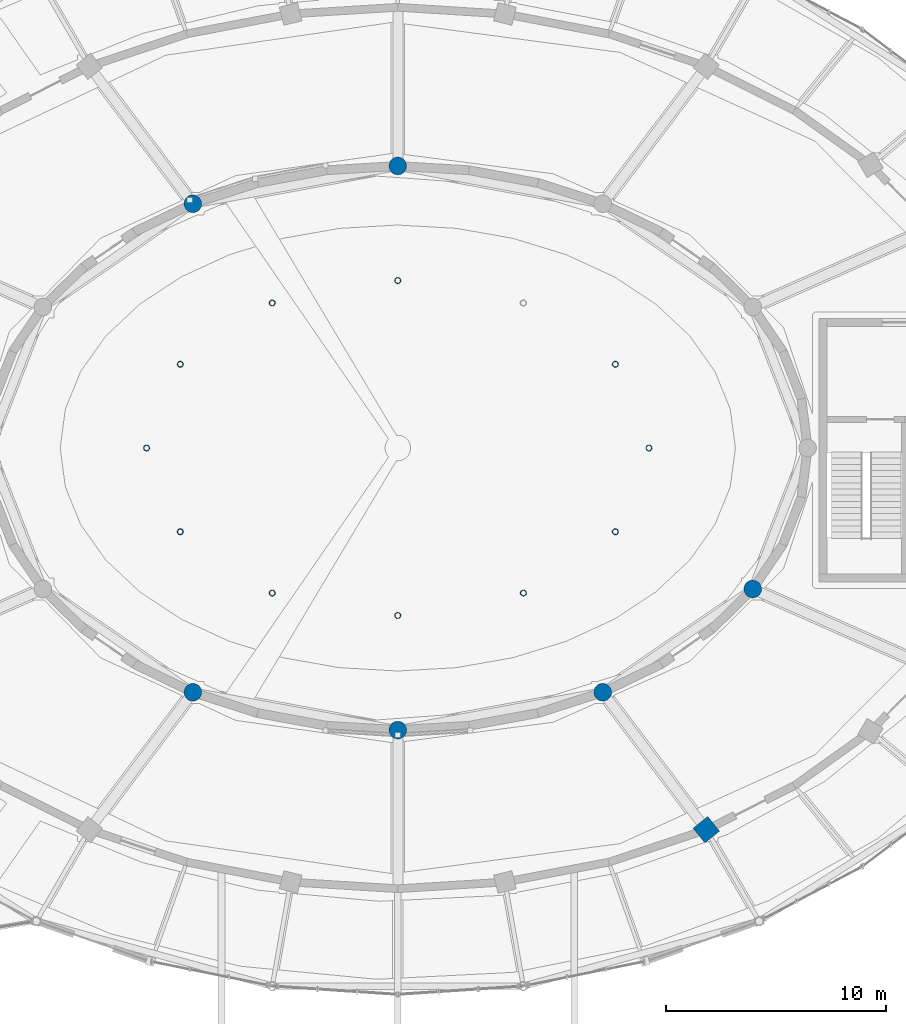
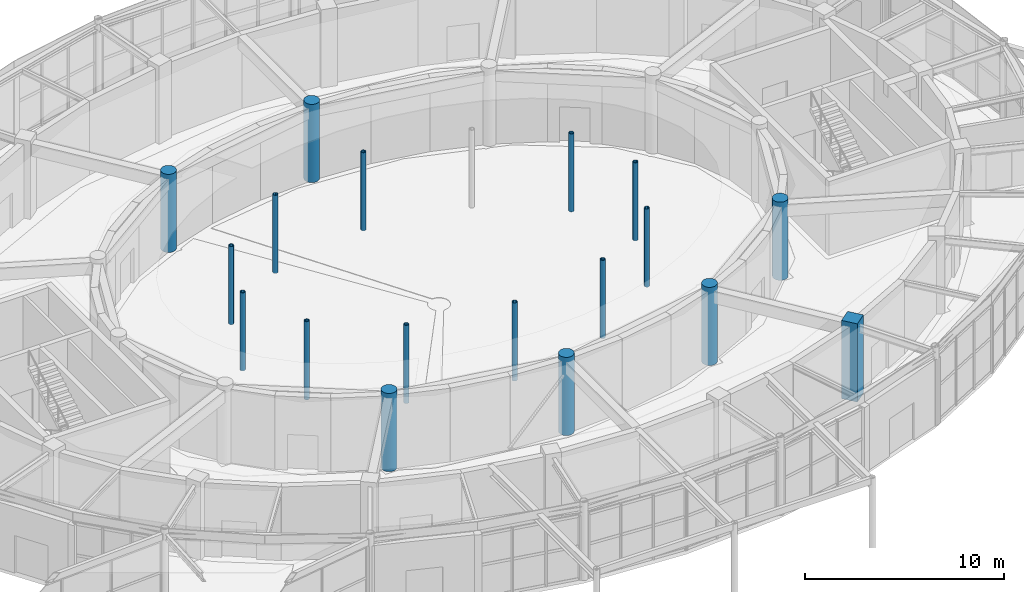
# One storey, part 8 of 108: 18 columns.
"""IFC4 building model written with IfcOpenShell, lengths in metres."""

from ifc_helpers import new_model, si_unit, direction, frame, origin, origin_2d, place, context, subcontext, project, spatial, rectangle, circle, hollow_circle, extrude, material, material_profile, profile_set, type_object, element, save


model = new_model("IFC4")

# Units and contexts
model_context = context("Model", 3, precision=1e-05, world=origin(), true_north=direction((0.0, 1.0)))
body_context = subcontext(model_context, "Body", "Model", "MODEL_VIEW")
ifc_project = project(units=[si_unit("LENGTHUNIT", "METRE"), si_unit("AREAUNIT", "SQUARE_METRE"), si_unit("VOLUMEUNIT", "CUBIC_METRE"), si_unit("PLANEANGLEUNIT", "RADIAN"), si_unit("MASSUNIT", "GRAM", prefix="KILO")], contexts=[model_context])

# Site, building, storey
site_placement = place(None, origin())
site = spatial("IfcSite", under=ifc_project, at=site_placement, CompositionType="ELEMENT")
building_placement = place(site_placement, origin())
building = spatial("IfcBuilding", under=site, at=building_placement, Name="Tarnveldt Headland Concert Hall", CompositionType="ELEMENT")
storey_placement = place(building_placement, origin())
storey = spatial("IfcBuildingStorey", under=building, at=storey_placement, Name="L00", CompositionType="ELEMENT", Elevation=0.0)

# Columns
ifc_material_1 = material(Name="Concrete C40/50", Category="concrete")
ifc_material_profile_1 = material_profile(ifc_material_1, rectangle(XDim=0.85009765625, YDim=0.85009765625, at=origin_2d()), Name="RC 850x850", Category="concrete")
ifc_profile_set_1 = profile_set([ifc_material_profile_1], Name="Concrete C40/50")
column_type_1 = type_object("IfcColumnType", Name="CC-850", PredefinedType="COLUMN", material=ifc_profile_set_1)
column_placement = place(storey_placement, frame((97.5, 37.179443359375, 0.0), z_axis=(0.0, 0.0, 1.0), x_axis=(0.628641963719, -0.777694851116, 0.0)))
element("IfcColumn", 1, at=column_placement, inside=storey, type_object=column_type_1, Name="Column V2DC16 L00", PredefinedType="COLUMN", context=body_context, shape_type="SweptSolid", body=[
    extrude(rectangle(XDim=0.85009765625, YDim=0.85009765625, at=origin_2d()), origin(), (0.0, 0.0, 1.0), 4.800048828125),
])
ifc_material_profile_2 = material_profile(ifc_material_1, circle(Radius=0.39990234375, at=origin_2d()), Name="RC D800", Category="concrete")
ifc_profile_set_2 = profile_set([ifc_material_profile_2], Name="Concrete C40/50")
column_type_2 = type_object("IfcColumnType", Name="DC-800", PredefinedType="COLUMN", material=ifc_profile_set_2)
for number, where, z_axis, x_axis, name in (
    (2, (83.5, 67.300048828125, 0.0), (0.0, 0.0, 1.0), (0.0, 1.0, 0.0), "Column V2IC04 L00"),
    (3, (74.199951171875, 65.585205078125, 0.0), (0.0, 0.0, 1.0), (-0.642787609687, 0.766044443119, 0.0), "Column V2IC05 L00"),
    (4, (74.199951171875, 43.414794921875, 0.0), (0.0, 0.0, 1.0), (-0.642787609687, -0.766044443119, 0.0), "Column V2IC09 L00"),
    (5, (83.5, 41.699951171875, 0.0), (0.0, 0.0, 1.0), (0.0, -1.0, 0.0), "Column V2IC10 L00"),
    (6, (92.800048828125, 43.414794921875, 0.0), (0.0, 0.0, 1.0), (0.642787609687, -0.766044443119, 0.0), "Column V2IC11 L00"),
    (7, (99.608154296875, 48.10009765625, 0.0), (0.0, 0.0, 1.0), (0.929326043111, -0.369260213935, 0.0), "Column V2IC12 L00"),
):
    element("IfcColumn", number, at=place(storey_placement, frame(where, z_axis=z_axis, x_axis=x_axis)), inside=storey, type_object=column_type_2, Name=name, PredefinedType="COLUMN", context=body_context, shape_type="SweptSolid", body=[
        extrude(circle(Radius=0.39990234375, at=origin_2d()), origin(), (0.0, 0.0, 1.0), 4.800048828125),
    ])
ifc_material_2 = material(Name="Steel S355", Category="steel")
ifc_material_profile_3 = material_profile(ifc_material_2, hollow_circle(Radius=0.136474609375, WallThickness=0.01611328125, at=origin_2d()), Name="CHS 273x16", Category="steel")
ifc_profile_set_3 = profile_set([ifc_material_profile_3], Name="Steel S355")
column_type_3 = type_object("IfcColumnType", Name="SC-CHS273", PredefinedType="COLUMN", material=ifc_profile_set_3)
for number, where, z_axis, x_axis, name in (
    (8, (94.89990234375, 54.5, 0.0), (0.0, 0.0, 1.0), (1.0, 0.0, 0.0), "Tier ring column 1 L00"),
    (9, (93.372802734375, 58.300048828125, 0.0), (0.0, 0.0, 1.0), (1.0, 0.0, 0.0), "Tier ring column 2 L00"),
    (10, (83.5, 62.10009765625, 0.0), (0.0, 0.0, 1.0), (1.0, 0.0, 0.0), "Tier ring column 4 L00"),
    (11, (77.800048828125, 61.081787109375, 0.0), (0.0, 0.0, 1.0), (1.0, 0.0, 0.0), "Tier ring column 5 L00"),
    (12, (73.627197265625, 58.300048828125, 0.0), (0.0, 0.0, 1.0), (1.0, 0.0, 0.0), "Tier ring column 6 L00"),
    (13, (72.10009765625, 54.5, 0.0), (0.0, 0.0, 1.0), (1.0, 0.0, 0.0), "Tier ring column 7 L00"),
    (14, (73.627197265625, 50.699951171875, 0.0), (0.0, 0.0, 1.0), (1.0, 0.0, 0.0), "Tier ring column 8 L00"),
    (15, (77.800048828125, 47.918212890625, 0.0), (0.0, 0.0, 1.0), (1.0, 0.0, 0.0), "Tier ring column 9 L00"),
    (16, (83.5, 46.89990234375, 0.0), (0.0, 0.0, 1.0), (1.0, 0.0, 0.0), "Tier ring column 10 L00"),
    (17, (89.199951171875, 47.918212890625, 0.0), (0.0, 0.0, 1.0), (1.0, 0.0, 0.0), "Tier ring column 11 L00"),
    (18, (93.372802734375, 50.699951171875, 0.0), (0.0, 0.0, 1.0), (1.0, 0.0, 0.0), "Tier ring column 12 L00"),
):
    element("IfcColumn", number, at=place(storey_placement, frame(where, z_axis=z_axis, x_axis=x_axis)), inside=storey, type_object=column_type_3, Name=name, PredefinedType="COLUMN", context=body_context, shape_type="SweptSolid", body=[
        extrude(hollow_circle(Radius=0.136474609375, WallThickness=0.01611328125, at=origin_2d()), origin(), (0.0, 0.0, 1.0), 4.800048828125),
    ])

save(model, "model.ifc")
